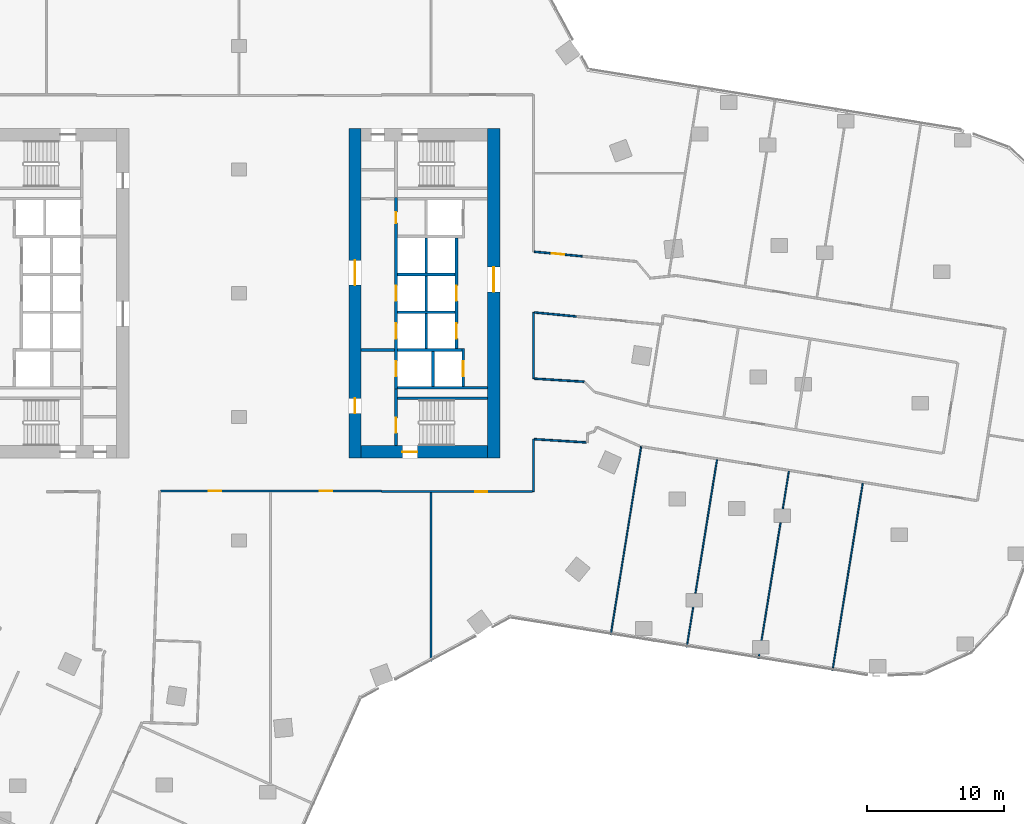
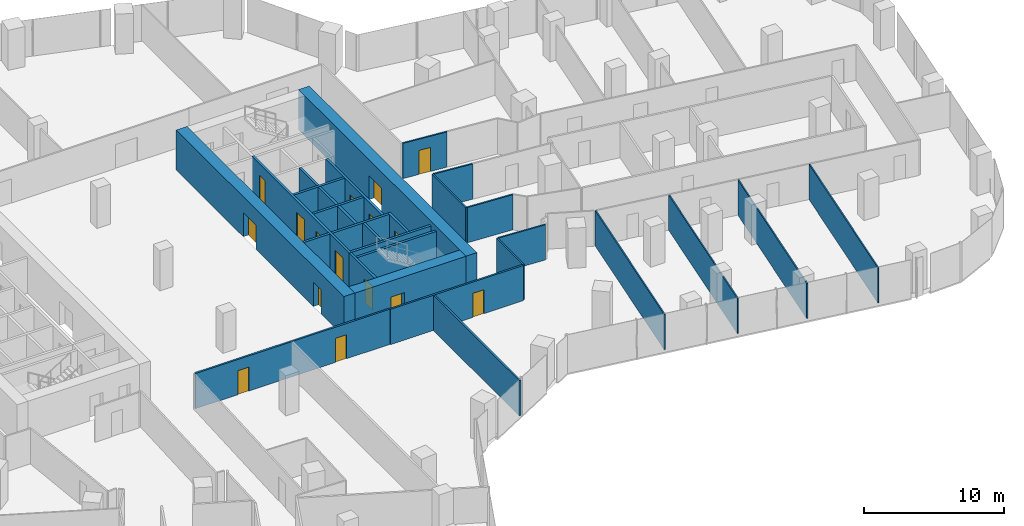
# One storey, part 27 of 34: 30 walls, 16 doors, 16 openings.
"""IFC4 building model written with IfcOpenShell, lengths in metres."""

import ifcopenshell
import ifcopenshell.guid

model = None  # the IFC model being written
_history = None  # IfcOwnerHistory: only IFC2X3 demands one
_inside = {}  # id of a spatial element -> (the spatial element, [elements in it])
_under = {}  # id of a project, library or spatial element -> (it, [spatial elements below it])
_declared = {}  # id of a project -> (the project, [libraries it declares])
_typed = {}  # id of a type object -> (the type object, [elements of that type])
_made_of = {}  # id of a material, layer set ... -> (it, [elements and type objects made of it])


def new_model(schema):
    """Start an empty IFC model of exactly this schema.

    Asked for "IFC4X3", IfcOpenShell would pick the latest addendum, in which some entities
    have other attributes; the version numbers below select the first issue.
    IFC2X3 requires an IfcOwnerHistory on every rooted entity: one is made here for all.
    """
    global model, _history
    if schema == "IFC4X3":
        model = ifcopenshell.file(schema_version=(4, 3, 0, 0))
    else:
        model = ifcopenshell.file(schema=schema)
    _inside.clear()
    _under.clear()
    _declared.clear()
    _typed.clear()
    _made_of.clear()
    _history = None
    if model.schema == "IFC2X3":
        org = make("IfcOrganization", Name="unknown")
        user = make(
            "IfcPersonAndOrganization",
            ThePerson=make("IfcPerson", FamilyName="unknown"),
            TheOrganization=org,
        )
        app = make(
            "IfcApplication",
            ApplicationDeveloper=org,
            Version="unknown",
            ApplicationFullName="unknown",
            ApplicationIdentifier="unknown",
        )
        _history = make(
            "IfcOwnerHistory",
            OwningUser=user,
            OwningApplication=app,
            ChangeAction="ADDED",
            CreationDate=0,
        )
    return model


def make(cls, **values):
    """One entity of the class cls with the attributes given. An attribute that is None is left unset."""
    return model.create_entity(
        cls, **{name: value for name, value in values.items() if value is not None}
    )


def rooted(cls, **values):
    """An entity with a GlobalId (a new one), such as an element, a storey or a relation."""
    return make(cls, GlobalId=ifcopenshell.guid.new(), OwnerHistory=_history, **values)


def si_unit(unit_type, name, prefix=None):
    """IfcSIUnit, for example si_unit("LENGTHUNIT", "METRE", prefix="MILLI")."""
    return make("IfcSIUnit", UnitType=unit_type, Prefix=prefix, Name=name)


def assignment(units):
    """IfcUnitAssignment: the units of a project."""
    return None if units is None else make("IfcUnitAssignment", Units=units)


def point(xyz):
    """IfcCartesianPoint."""
    return None if xyz is None else make("IfcCartesianPoint", Coordinates=xyz)


def direction(xyz):
    """IfcDirection."""
    return None if xyz is None else make("IfcDirection", DirectionRatios=xyz)


def frame(location, z_axis=None, x_axis=None):
    """IfcAxis2Placement3D, a coordinate frame: its origin and axes. An axis left out is left unset."""
    return make(
        "IfcAxis2Placement3D",
        Location=point(location),
        Axis=direction(z_axis),
        RefDirection=direction(x_axis),
    )


def frame_2d(location, x_axis=None):
    """IfcAxis2Placement2D, a coordinate frame in the plane: its origin and x axis."""
    return make(
        "IfcAxis2Placement2D", Location=point(location), RefDirection=direction(x_axis)
    )


def origin():
    """The frame at (0, 0, 0) with its axes left unset."""
    return frame((0.0, 0.0, 0.0))


def place(relative_to, where):
    """IfcLocalPlacement: puts the frame where relative to a parent placement (None: the world)."""
    return make(
        "IfcLocalPlacement", PlacementRelTo=relative_to, RelativePlacement=where
    )


def context(
    kind, dimensions, precision=None, world=None, true_north=None, identifier=None
):
    """IfcGeometricRepresentationContext, for example the 3D "Model" context."""
    return make(
        "IfcGeometricRepresentationContext",
        ContextIdentifier=identifier,
        ContextType=kind,
        CoordinateSpaceDimension=dimensions,
        Precision=precision,
        WorldCoordinateSystem=world,
        TrueNorth=true_north,
    )


def subcontext(parent, identifier, kind, view, scale=None):
    """IfcGeometricRepresentationSubContext, for example "Body" below "Model"."""
    return make(
        "IfcGeometricRepresentationSubContext",
        ContextIdentifier=identifier,
        ContextType=kind,
        ParentContext=parent,
        TargetScale=scale,
        TargetView=view,
    )


def project(units=None, contexts=None):
    """IfcProject with its units and contexts."""
    return rooted(
        "IfcProject",
        Name="project",
        RepresentationContexts=contexts,
        UnitsInContext=assignment(units),
    )


def spatial(cls, under=None, at=None, **own):
    """A site, building, storey or space (cls), placed at a placement, below another one or the project."""
    s = rooted(cls, ObjectPlacement=at, **own)
    if under is not None:
        _under.setdefault(under.id(), (under, []))[1].append(s)
    return s


def profile(cls, at=None, kind="AREA", **sizes):
    """A parametric profile (cls). Its sizes go by their IFC names, for example OverallWidth=200.0."""
    return make(cls, ProfileType=kind, Position=at, **sizes)


def rectangle(**sizes):
    """IfcRectangleProfileDef."""
    return profile("IfcRectangleProfileDef", **sizes)


def extrude(swept, where, along, depth):
    """IfcExtrudedAreaSolid: the profile swept, set in the frame where, extruded along a direction by depth."""
    return make(
        "IfcExtrudedAreaSolid",
        SweptArea=swept,
        Position=where,
        ExtrudedDirection=direction(along),
        Depth=depth,
    )


def shape(context_of_items, identifier, shape_type, items):
    """IfcShapeRepresentation: the items that make up one representation, for example the "Body"."""
    return make(
        "IfcShapeRepresentation",
        ContextOfItems=context_of_items,
        RepresentationIdentifier=identifier,
        RepresentationType=shape_type,
        Items=items,
    )


def material(Name=None, Category=None):
    """IfcMaterial."""
    return make("IfcMaterial", Name=Name, Category=Category)


def layer(
    of_material, thickness, ventilated=None, Name=None, Category=None, Priority=None
):
    """IfcMaterialLayer: one layer of a wall or slab, of a material (None: an air gap)."""
    return make(
        "IfcMaterialLayer",
        Material=of_material,
        LayerThickness=thickness,
        IsVentilated=ventilated,
        Name=Name,
        Category=Category,
        Priority=Priority,
    )


def layer_set(layers, Name=None):
    """IfcMaterialLayerSet."""
    return make("IfcMaterialLayerSet", MaterialLayers=layers, LayerSetName=Name)


def made_of(thing, what):
    """Note that an element or type object is made of a material, layer set ...; save() writes the relation."""
    if what is not None:
        _made_of.setdefault(what.id(), (what, []))[1].append(thing)
    return thing


def type_object(cls, material=None, **own):
    """A type object (cls), such as IfcWallType, which elements share."""
    return made_of(rooted(cls, **own), material)


def element(
    cls,
    number,
    at=None,
    inside=None,
    cuts=None,
    type_object=None,
    material=None,
    context=None,
    identifier="Body",
    shape_type=None,
    held_by="IfcProductDefinitionShape",
    body=None,
    shapes=None,
    **own,
):
    """One element of the class cls, such as IfcWall. Its Tag is "e" and its number.

    at: its placement. inside: the storey or other place that contains it. cuts: it is an
    opening in that element (IfcRelVoidsElement). A single representation is given by context,
    identifier, shape_type and body (its items); several are given by shapes. held_by: the class
    of the entity that holds the representations. save() writes the other relations.
    """
    e = rooted(cls, Tag="e%d" % number, ObjectPlacement=at, **own)
    if body is not None:
        shapes = [shape(context, identifier, shape_type, body)]
    if shapes is not None:
        e.Representation = make(held_by, Representations=shapes)
    if inside is not None:
        _inside.setdefault(inside.id(), (inside, []))[1].append(e)
    if cuts is not None:
        rooted(
            "IfcRelVoidsElement", RelatingBuildingElement=cuts, RelatedOpeningElement=e
        )
    if type_object is not None:
        _typed.setdefault(type_object.id(), (type_object, []))[1].append(e)
    return made_of(e, material)


def fill(opening, filler):
    """IfcRelFillsElement: the door or window that sits in an opening."""
    return rooted(
        "IfcRelFillsElement",
        RelatingOpeningElement=opening,
        RelatedBuildingElement=filler,
    )


def aggregate(whole, parts):
    """IfcRelAggregates: a whole, such as a stair, and the parts it consists of."""
    return rooted("IfcRelAggregates", RelatingObject=whole, RelatedObjects=parts)


def save(model, path):
    """Write the relations noted so far, then the file.

    IfcRelAggregates (storeys below a building ...), IfcRelContainedInSpatialStructure (elements
    in a storey), IfcRelDefinesByType, IfcRelAssociatesMaterial and IfcRelDeclares: one each for
    every whole, place, type object, material and project.
    """
    for whole, parts in _under.values():
        aggregate(whole, parts)
    for where, things in _inside.values():
        rooted(
            "IfcRelContainedInSpatialStructure",
            RelatedElements=things,
            RelatingStructure=where,
        )
    for kind, things in _typed.values():
        rooted("IfcRelDefinesByType", RelatedObjects=things, RelatingType=kind)
    for what, things in _made_of.values():
        rooted("IfcRelAssociatesMaterial", RelatedObjects=things, RelatingMaterial=what)
    for by, libraries in _declared.values():
        rooted("IfcRelDeclares", RelatingContext=by, RelatedDefinitions=libraries)
    model.write(path)


model = new_model("IFC4")

# Units and contexts
model_context = context("Model", 3, precision=1e-05, world=origin(), true_north=direction((0.0, 1.0)))
body_context = subcontext(model_context, "Body", "Model", "MODEL_VIEW")
ifc_project = project(units=[si_unit("LENGTHUNIT", "METRE"), si_unit("AREAUNIT", "SQUARE_METRE"), si_unit("VOLUMEUNIT", "CUBIC_METRE"), si_unit("PLANEANGLEUNIT", "RADIAN"), si_unit("MASSUNIT", "GRAM", prefix="KILO")], contexts=[model_context])

# Site, building, storey
site_placement = place(None, origin())
site = spatial("IfcSite", under=ifc_project, at=site_placement, CompositionType="ELEMENT")
building_placement = place(site_placement, origin())
building = spatial("IfcBuilding", under=site, at=building_placement, Name="Orlundy Tower", CompositionType="ELEMENT")
storey_placement = place(building_placement, frame((0.0, 0.0, 127.199951171875)))
storey = spatial("IfcBuildingStorey", under=building, at=storey_placement, Name="L32", CompositionType="ELEMENT", Elevation=127.199951171875)

# Wall, opening, door
ifc_material_1 = material(Name="Concrete C80/95", Category="concrete")
ifc_layer_1 = layer(ifc_material_1, 0.89990234375)
ifc_layer_set_1 = layer_set([ifc_layer_1], Name="CORE WALL 900 C80/95")
wall_type_1 = type_object("IfcWallType", Name="CORE WALL 900 C80/95", PredefinedType="SHEAR", material=ifc_layer_set_1)
wall_1_placement = place(storey_placement, frame((8.89990234375, -11.550048828125, 0.0), z_axis=(0.0, 0.0, 1.0), x_axis=(1.0, 0.0, 0.0)))
wall_1 = element("IfcWall", 1, at=wall_1_placement, inside=storey, type_object=wall_type_1, Name="Core wall E-S L32", PredefinedType="SHEAR", context=body_context, shape_type="SweptSolid", body=[
    extrude(rectangle(XDim=9.2001953125, YDim=0.89990234375, at=frame_2d((4.60009765625, 0.0))), origin(), (0.0, 0.0, 1.0), 3.5),
])
opening_1_placement = place(wall_1_placement, frame((3.0, 0.0, 0.0)))
opening_1 = element("IfcOpeningElement", 2, at=opening_1_placement, cuts=wall_1, Name="Opening 25061", PredefinedType="OPENING", context=body_context, shape_type="SweptSolid", body=[
    extrude(rectangle(XDim=1.10009765625, YDim=2.10009765625, at=frame_2d((0.550048828125, 1.050048828125))), frame((0.0, 0.4599609375, 0.0), z_axis=(0.0, -1.0, 0.0), x_axis=(1.0, 0.0, 0.0)), (0.0, 0.0, 1.0), 0.919921875),
])
ifc_material_2 = material(Name="Steel door set", Category="steel")
door_type_1 = type_object("IfcDoorType", Name="Stair Door 1100x2100", OperationType="SINGLE_SWING_LEFT", PredefinedType="DOOR", material=ifc_material_2)
door_1_placement = place(opening_1_placement, origin())
door_1 = element("IfcDoor", 3, at=door_1_placement, inside=storey, type_object=door_type_1, Name="Stair door 25061", OperationType="SINGLE_SWING_LEFT", OverallHeight=2.10009765625, OverallWidth=1.10009765625, PredefinedType="DOOR", context=body_context, shape_type="SweptSolid", body=[
    extrude(rectangle(XDim=1.10009765625, YDim=2.10009765625, at=frame_2d((0.550048828125, 1.050048828125))), frame((0.0, 0.02490234375, 0.0), z_axis=(0.0, -1.0, 0.0), x_axis=(1.0, 0.0, 0.0)), (0.0, 0.0, 1.0), 0.050048828125),
])
fill(opening_1, door_1)

# Wall, openings, doors
wall_2_placement = place(storey_placement, frame((8.449951171875, -12.0, 0.0), z_axis=(0.0, 0.0, 1.0), x_axis=(0.0, 1.0, 0.0)))
wall_2 = element("IfcWall", 4, at=wall_2_placement, inside=storey, type_object=wall_type_1, Name="Core wall E-W L32", PredefinedType="SHEAR", context=body_context, shape_type="SweptSolid", body=[
    extrude(rectangle(XDim=24.0, YDim=0.89990234375, at=frame_2d((12.0, 0.0))), origin(), (0.0, 0.0, 1.0), 3.5),
])
opening_2_placement = place(wall_2_placement, frame((12.60009765625, 0.0, 0.0)))
opening_2 = element("IfcOpeningElement", 5, at=opening_2_placement, cuts=wall_2, Name="Opening 25058", PredefinedType="OPENING", context=body_context, shape_type="SweptSolid", body=[
    extrude(rectangle(XDim=1.800048828125, YDim=2.10009765625, at=frame_2d((0.89990234375, 1.050048828125))), frame((0.0, 0.4599609375, 0.0), z_axis=(0.0, -1.0, 0.0), x_axis=(1.0, 0.0, 0.0)), (0.0, 0.0, 1.0), 0.919921875),
])
opening_3_placement = place(wall_2_placement, frame((3.25, 0.0, 0.0)))
opening_3 = element("IfcOpeningElement", 6, at=opening_3_placement, cuts=wall_2, Name="Opening 25060", PredefinedType="OPENING", context=body_context, shape_type="SweptSolid", body=[
    extrude(rectangle(XDim=1.10009765625, YDim=2.10009765625, at=frame_2d((0.550048828125, 1.050048828125))), frame((0.0, 0.4599609375, 0.0), z_axis=(0.0, -1.0, 0.0), x_axis=(1.0, 0.0, 0.0)), (0.0, 0.0, 1.0), 0.919921875),
])
ifc_material_3 = material(Name="Steel door set", Category="steel")
door_type_2 = type_object("IfcDoorType", Name="Fire-fighting Lobby Door 1100x2100", OperationType="SINGLE_SWING_LEFT", PredefinedType="DOOR", material=ifc_material_3)
door_2_placement = place(opening_3_placement, origin())
door_2 = element("IfcDoor", 7, at=door_2_placement, inside=storey, type_object=door_type_2, Name="Fire-fighting lobby door 25060", OperationType="SINGLE_SWING_LEFT", OverallHeight=2.10009765625, OverallWidth=1.10009765625, PredefinedType="DOOR", context=body_context, shape_type="SweptSolid", body=[
    extrude(rectangle(XDim=1.10009765625, YDim=2.10009765625, at=frame_2d((0.550048828125, 1.050048828125))), frame((0.0, 0.02490234375, 0.0), z_axis=(0.0, -1.0, 0.0), x_axis=(1.0, 0.0, 0.0)), (0.0, 0.0, 1.0), 0.050048828125),
])
fill(opening_3, door_2)
ifc_material_4 = material(Name="Timber door set", Category="wood")
door_type_3 = type_object("IfcDoorType", Name="Lobby Door 1800x2100", OperationType="DOUBLE_DOOR_DOUBLE_SWING", PredefinedType="DOOR", material=ifc_material_4)
door_3_placement = place(opening_2_placement, origin())
door_3 = element("IfcDoor", 8, at=door_3_placement, inside=storey, type_object=door_type_3, Name="Lift lobby door 25058", OperationType="SINGLE_SWING_RIGHT", OverallHeight=2.10009765625, OverallWidth=1.800048828125, PredefinedType="DOOR", context=body_context, shape_type="SweptSolid", body=[
    extrude(rectangle(XDim=1.800048828125, YDim=2.10009765625, at=frame_2d((0.89990234375, 1.050048828125))), frame((0.0, 0.02490234375, 0.0), z_axis=(0.0, -1.0, 0.0), x_axis=(1.0, 0.0, 0.0)), (0.0, 0.0, 1.0), 0.050048828125),
])
fill(opening_2, door_3)

# Wall, opening, door
wall_3_placement = place(storey_placement, frame((18.550048828125, -12.0, 0.0), z_axis=(0.0, 0.0, 1.0), x_axis=(0.0, 1.0, 0.0)))
wall_3 = element("IfcWall", 9, at=wall_3_placement, inside=storey, type_object=wall_type_1, Name="Core wall E-E L32", PredefinedType="SHEAR", context=body_context, shape_type="SweptSolid", body=[
    extrude(rectangle(XDim=24.0, YDim=0.89990234375, at=frame_2d((12.0, 0.0))), origin(), (0.0, 0.0, 1.0), 3.5),
])
opening_4_placement = place(wall_3_placement, frame((12.10009765625, 0.0, 0.0)))
opening_4 = element("IfcOpeningElement", 10, at=opening_4_placement, cuts=wall_3, Name="Opening 25059", PredefinedType="OPENING", context=body_context, shape_type="SweptSolid", body=[
    extrude(rectangle(XDim=1.800048828125, YDim=2.10009765625, at=frame_2d((0.89990234375, 1.050048828125))), frame((0.0, 0.4599609375, 0.0), z_axis=(0.0, -1.0, 0.0), x_axis=(1.0, 0.0, 0.0)), (0.0, 0.0, 1.0), 0.919921875),
])
door_4_placement = place(opening_4_placement, origin())
door_4 = element("IfcDoor", 11, at=door_4_placement, inside=storey, type_object=door_type_3, Name="Lift lobby door 25059", OperationType="SINGLE_SWING_RIGHT", OverallHeight=2.10009765625, OverallWidth=1.800048828125, PredefinedType="DOOR", context=body_context, shape_type="SweptSolid", body=[
    extrude(rectangle(XDim=1.800048828125, YDim=2.10009765625, at=frame_2d((0.89990234375, 1.050048828125))), frame((0.0, 0.02490234375, 0.0), z_axis=(0.0, -1.0, 0.0), x_axis=(1.0, 0.0, 0.0)), (0.0, 0.0, 1.0), 0.050048828125),
])
fill(opening_4, door_4)

# Walls
ifc_material_5 = material(Name="Gypsum board partition")
ifc_layer_2 = layer(ifc_material_5, 0.10009765625)
ifc_layer_set_2 = layer_set([ifc_layer_2], Name="Floor partition 100")
wall_type_2 = type_object("IfcWallType", Name="Floor partition 100", PredefinedType="PARTITIONING", material=ifc_layer_set_2)
wall_4_placement = place(storey_placement, frame((43.221923828125, -27.487060546875, 0.0), z_axis=(0.0, 0.0, 1.0), x_axis=(0.159350032698, 0.987222146773, 0.0)))
element("IfcWall", 12, at=wall_4_placement, inside=storey, type_object=wall_type_2, Name="wall-int-L32-058", PredefinedType="PARTITIONING", context=body_context, shape_type="SweptSolid", body=[
    extrude(rectangle(XDim=13.837890625, YDim=0.10009765625, at=frame_2d((6.9189453125, 0.0))), origin(), (0.0, 0.0, 1.0), 3.080078125),
])
wall_5_placement = place(storey_placement, frame((37.842041015625, -26.618896484375, 0.0), z_axis=(0.0, 0.0, 1.0), x_axis=(0.159352808208, 0.987221698767, 0.0)))
element("IfcWall", 13, at=wall_5_placement, inside=storey, type_object=wall_type_2, Name="wall-int-L32-060", PredefinedType="PARTITIONING", context=body_context, shape_type="SweptSolid", body=[
    extrude(rectangle(XDim=13.837646484375, YDim=0.10009765625, at=frame_2d((6.9189453125, 0.0))), origin(), (0.0, 0.0, 1.0), 3.080078125),
])
wall_6_placement = place(storey_placement, frame((32.610107421875, -25.77392578125, 0.0), z_axis=(0.0, 0.0, 1.0), x_axis=(0.159346714874, 0.987222682306, 0.0)))
element("IfcWall", 14, at=wall_6_placement, inside=storey, type_object=wall_type_2, Name="wall-int-L32-063", PredefinedType="PARTITIONING", context=body_context, shape_type="SweptSolid", body=[
    extrude(rectangle(XDim=13.836669921875, YDim=0.10009765625, at=frame_2d((6.91845703125, 0.0))), origin(), (0.0, 0.0, 1.0), 3.080078125),
])
wall_7_placement = place(storey_placement, frame((27.074951171875, -24.881103515625, 0.0), z_axis=(0.0, 0.0, 1.0), x_axis=(0.159361105938, 0.987220359349, 0.0)))
element("IfcWall", 15, at=wall_7_placement, inside=storey, type_object=wall_type_2, Name="wall-int-L32-066", PredefinedType="PARTITIONING", context=body_context, shape_type="SweptSolid", body=[
    extrude(rectangle(XDim=13.89990234375, YDim=0.10009765625, at=frame_2d((6.949951171875, 0.0))), origin(), (0.0, 0.0, 1.0), 3.080078125),
])
ifc_material_6 = material(Name="Gypsum board partition, double layer")
ifc_layer_3 = layer(ifc_material_6, 0.125)
ifc_layer_set_3 = layer_set([ifc_layer_3], Name="Floor partition 125")
wall_type_3 = type_object("IfcWallType", Name="Floor partition 125", PredefinedType="PARTITIONING", material=ifc_layer_set_3)
wall_8_placement = place(storey_placement, frame((21.511962890625, -1.39599609375, 0.0), z_axis=(0.0, 0.0, 1.0), x_axis=(0.995439564575, -0.095394304224, 0.0)))
element("IfcWall", 16, at=wall_8_placement, inside=storey, type_object=wall_type_3, Name="wall-int-L32-025", PredefinedType="PARTITIONING", context=body_context, shape_type="SweptSolid", body=[
    extrude(rectangle(XDim=3.071044921875, YDim=0.125, at=frame_2d((1.53564453125, 0.0))), origin(), (0.0, 0.0, 1.0), 3.080078125),
])

# Wall, opening, door
wall_9_placement = place(storey_placement, frame((21.511962890625, 3.02490234375, 0.0), z_axis=(0.0, 0.0, 1.0), x_axis=(0.995445071108, -0.095336826077, 0.0)))
wall_9 = element("IfcWall", 17, at=wall_9_placement, inside=storey, type_object=wall_type_3, Name="wall-int-L32-027", PredefinedType="PARTITIONING", context=body_context, shape_type="SweptSolid", body=[
    extrude(rectangle(XDim=3.492919921875, YDim=0.125, at=frame_2d((1.74658203125, 0.0))), origin(), (0.0, 0.0, 1.0), 3.080078125),
])
opening_5_placement = place(wall_9_placement, frame((1.28759765625, 0.0, 0.0)))
opening_5 = element("IfcOpeningElement", 18, at=opening_5_placement, cuts=wall_9, Name="Opening 25127", PredefinedType="OPENING", context=body_context, shape_type="SweptSolid", body=[
    extrude(rectangle(XDim=0.89990234375, YDim=2.10009765625, at=frame_2d((0.449951171875, 1.050048828125))), frame((0.0, 0.072509765625, 0.0), z_axis=(0.0, -1.0, 0.0), x_axis=(1.0, 0.0, 0.0)), (0.0, 0.0, 1.0), 0.14501953125),
])
ifc_material_7 = material(Name="Timber door leaf", Category="wood")
door_type_4 = type_object("IfcDoorType", Name="Floor door single 900 FD30S", OperationType="NOTDEFINED", PredefinedType="DOOR", material=ifc_material_7)
door_5_placement = place(opening_5_placement, origin())
door_5 = element("IfcDoor", 19, at=door_5_placement, inside=storey, type_object=door_type_4, Name="Door 25127", OperationType="SINGLE_SWING_LEFT", OverallHeight=2.10009765625, OverallWidth=0.89990234375, PredefinedType="DOOR", context=body_context, shape_type="SweptSolid", body=[
    extrude(rectangle(XDim=0.89990234375, YDim=2.10009765625, at=frame_2d((0.449951171875, 1.050048828125))), frame((0.0, 0.02490234375, 0.0), z_axis=(0.0, -1.0, 0.0), x_axis=(1.0, 0.0, 0.0)), (0.0, 0.0, 1.0), 0.050048828125),
])
fill(opening_5, door_5)

# Walls
wall_10_placement = place(storey_placement, frame((21.511962890625, -10.6259765625, 0.0), z_axis=(0.0, 0.0, 1.0), x_axis=(0.998079516633, -0.061945770464, 0.0)))
element("IfcWall", 20, at=wall_10_placement, inside=storey, type_object=wall_type_3, Name="wall-int-L32-028", PredefinedType="PARTITIONING", context=body_context, shape_type="SweptSolid", body=[
    extrude(rectangle(XDim=3.79541015625, YDim=0.125, at=frame_2d((1.897705078125, 0.0))), origin(), (0.0, 0.0, 1.0), 3.080078125),
])
wall_11_placement = place(storey_placement, frame((21.511962890625, -6.217041015625, 0.0), z_axis=(0.0, 0.0, 1.0), x_axis=(0.998085189805, -0.061854295661, 0.0)))
element("IfcWall", 21, at=wall_11_placement, inside=storey, type_object=wall_type_3, Name="wall-int-L32-029", PredefinedType="PARTITIONING", context=body_context, shape_type="SweptSolid", body=[
    extrude(rectangle(XDim=3.655029296875, YDim=0.125, at=frame_2d((1.82763671875, 0.0))), origin(), (0.0, 0.0, 1.0), 3.080078125),
])
wall_12_placement = place(storey_placement, frame((21.449951171875, -14.450927734375, 0.0), z_axis=(0.0, 0.0, 1.0), x_axis=(0.0, 1.0, 0.0)))
element("IfcWall", 22, at=wall_12_placement, inside=storey, type_object=wall_type_3, Name="wall-int-L32-077", PredefinedType="PARTITIONING", context=body_context, shape_type="SweptSolid", body=[
    extrude(rectangle(XDim=3.828857421875, YDim=0.125, at=frame_2d((1.91455078125, 0.0))), origin(), (0.0, 0.0, 1.0), 3.080078125),
])
wall_13_placement = place(storey_placement, frame((21.449951171875, -6.212890625, 0.0), z_axis=(0.0, 0.0, 1.0), x_axis=(0.0, 1.0, 0.0)))
element("IfcWall", 23, at=wall_13_placement, inside=storey, type_object=wall_type_3, Name="wall-int-L32-078", PredefinedType="PARTITIONING", context=body_context, shape_type="SweptSolid", body=[
    extrude(rectangle(XDim=4.822998046875, YDim=0.125, at=frame_2d((2.41162109375, 0.0))), origin(), (0.0, 0.0, 1.0), 3.080078125),
])

# Wall, opening, door
ifc_material_8 = material(Name="Blockwork shaft wall", Category="masonry")
ifc_layer_4 = layer(ifc_material_8, 0.14990234375)
ifc_layer_set_4 = layer_set([ifc_layer_4], Name="Floor shaft wall 150")
wall_type_4 = type_object("IfcWallType", Name="Floor shaft wall 150", PredefinedType="PARTITIONING", material=ifc_layer_set_4)
wall_14_placement = place(storey_placement, frame((21.386962890625, -14.450927734375, 0.0), z_axis=(0.0, 0.0, 1.0), x_axis=(-1.0, 0.0, 0.0)))
wall_14 = element("IfcWall", 24, at=wall_14_placement, inside=storey, type_object=wall_type_4, Name="wall-int-L32-035", PredefinedType="PARTITIONING", context=body_context, shape_type="SweptSolid", body=[
    extrude(rectangle(XDim=10.995849609375, YDim=0.14990234375, at=frame_2d((5.498046875, 0.0))), origin(), (0.0, 0.0, 1.0), 3.080078125),
])
opening_6_placement = place(wall_14_placement, frame((3.28759765625, 0.0, 0.0)))
opening_6 = element("IfcOpeningElement", 25, at=opening_6_placement, cuts=wall_14, Name="Opening 25125", PredefinedType="OPENING", context=body_context, shape_type="SweptSolid", body=[
    extrude(rectangle(XDim=0.89990234375, YDim=2.10009765625, at=frame_2d((0.449951171875, 1.050048828125))), frame((0.0, 0.0849609375, 0.0), z_axis=(0.0, -1.0, 0.0), x_axis=(1.0, 0.0, 0.0)), (0.0, 0.0, 1.0), 0.169921875),
])
ifc_material_9 = material(Name="Timber door leaf", Category="wood")
door_type_5 = type_object("IfcDoorType", Name="Floor door single 900 FD60", OperationType="NOTDEFINED", PredefinedType="DOOR", material=ifc_material_9)
door_6_placement = place(opening_6_placement, origin())
door_6 = element("IfcDoor", 26, at=door_6_placement, inside=storey, type_object=door_type_5, Name="Door 25125", OperationType="SINGLE_SWING_LEFT", OverallHeight=2.10009765625, OverallWidth=0.89990234375, PredefinedType="DOOR", context=body_context, shape_type="SweptSolid", body=[
    extrude(rectangle(XDim=0.89990234375, YDim=2.10009765625, at=frame_2d((0.449951171875, 1.050048828125))), frame((0.0, 0.02490234375, 0.0), z_axis=(0.0, -1.0, 0.0), x_axis=(1.0, 0.0, 0.0)), (0.0, 0.0, 1.0), 0.050048828125),
])
fill(opening_6, door_6)

# Wall, openings, doors
wall_15_placement = place(storey_placement, frame((10.39111328125, -14.40087890625, 0.0), z_axis=(0.0, 0.0, 1.0), x_axis=(-1.0, 0.0, 0.0)))
wall_15 = element("IfcWall", 27, at=wall_15_placement, inside=storey, type_object=wall_type_4, Name="wall-int-L32-037", PredefinedType="PARTITIONING", context=body_context, shape_type="SweptSolid", body=[
    extrude(rectangle(XDim=16.09619140625, YDim=0.14990234375, at=frame_2d((8.048095703125, 0.0))), origin(), (0.0, 0.0, 1.0), 3.080078125),
])
opening_7_placement = place(wall_15_placement, frame((11.679931640625, 0.0, 0.0)))
opening_7 = element("IfcOpeningElement", 28, at=opening_7_placement, cuts=wall_15, Name="Opening 25123", PredefinedType="OPENING", context=body_context, shape_type="SweptSolid", body=[
    extrude(rectangle(XDim=0.89990234375, YDim=2.10009765625, at=frame_2d((0.449951171875, 1.050048828125))), frame((0.0, 0.0849609375, 0.0), z_axis=(0.0, -1.0, 0.0), x_axis=(1.0, 0.0, 0.0)), (0.0, 0.0, 1.0), 0.169921875),
])
opening_8_placement = place(wall_15_placement, frame((3.60009765625, 0.0, 0.0)))
opening_8 = element("IfcOpeningElement", 29, at=opening_8_placement, cuts=wall_15, Name="Opening 25124", PredefinedType="OPENING", context=body_context, shape_type="SweptSolid", body=[
    extrude(rectangle(XDim=0.89990234375, YDim=2.10009765625, at=frame_2d((0.449951171875, 1.050048828125))), frame((0.0, 0.0849609375, 0.0), z_axis=(0.0, -1.0, 0.0), x_axis=(1.0, 0.0, 0.0)), (0.0, 0.0, 1.0), 0.169921875),
])
door_7_placement = place(opening_7_placement, origin())
door_7 = element("IfcDoor", 30, at=door_7_placement, inside=storey, type_object=door_type_5, Name="Door 25123", OperationType="SINGLE_SWING_RIGHT", OverallHeight=2.10009765625, OverallWidth=0.89990234375, PredefinedType="DOOR", context=body_context, shape_type="SweptSolid", body=[
    extrude(rectangle(XDim=0.89990234375, YDim=2.10009765625, at=frame_2d((0.449951171875, 1.050048828125))), frame((0.0, 0.02490234375, 0.0), z_axis=(0.0, -1.0, 0.0), x_axis=(1.0, 0.0, 0.0)), (0.0, 0.0, 1.0), 0.050048828125),
])
fill(opening_7, door_7)
door_8_placement = place(opening_8_placement, origin())
door_8 = element("IfcDoor", 31, at=door_8_placement, inside=storey, type_object=door_type_5, Name="Door 25124", OperationType="SINGLE_SWING_LEFT", OverallHeight=2.10009765625, OverallWidth=0.89990234375, PredefinedType="DOOR", context=body_context, shape_type="SweptSolid", body=[
    extrude(rectangle(XDim=0.89990234375, YDim=2.10009765625, at=frame_2d((0.449951171875, 1.050048828125))), frame((0.0, 0.02490234375, 0.0), z_axis=(0.0, -1.0, 0.0), x_axis=(1.0, 0.0, 0.0)), (0.0, 0.0, 1.0), 0.050048828125),
])
fill(opening_8, door_8)

# Wall
wall_16_placement = place(storey_placement, frame((14.0, -26.818115234375, 0.0), z_axis=(0.0, 0.0, 1.0), x_axis=(0.0, 1.0, 0.0)))
element("IfcWall", 32, at=wall_16_placement, inside=storey, type_object=wall_type_4, Name="wall-int-L32-080", PredefinedType="PARTITIONING", context=body_context, shape_type="SweptSolid", body=[
    extrude(rectangle(XDim=12.292236328125, YDim=0.14990234375, at=frame_2d((6.14599609375, 0.0))), origin(), (0.0, 0.0, 1.0), 3.080078125),
])

# Wall, opening, door
ifc_material_10 = material(Name="Concrete C40/50", Category="concrete")
ifc_layer_5 = layer(ifc_material_10, 0.199951171875)
ifc_layer_set_5 = layer_set([ifc_layer_5], Name="Load-bearing Shaft Wall 200")
wall_type_5 = type_object("IfcWallType", Name="Load-bearing Shaft Wall 200", PredefinedType="SOLIDWALL", material=ifc_layer_set_5)
wall_17_placement = place(storey_placement, frame((11.43994140625, -6.97509765625, 0.0), z_axis=(0.0, 0.0, 1.0), x_axis=(0.0, -1.0, 0.0)))
wall_17 = element("IfcWall", 33, at=wall_17_placement, inside=storey, type_object=wall_type_5, Name="Shaft wall E25-stair-end-n", PredefinedType="SOLIDWALL", context=body_context, shape_type="SweptSolid", body=[
    extrude(rectangle(XDim=4.125, YDim=0.199951171875, at=frame_2d((2.0625, 0.0))), origin(), (0.0, 0.0, 1.0), 3.090087890625),
])
opening_9_placement = place(wall_17_placement, frame((2.10009765625, 0.0, 0.0)))
opening_9 = element("IfcOpeningElement", 34, at=opening_9_placement, cuts=wall_17, Name="Opening 25063", PredefinedType="OPENING", context=body_context, shape_type="SweptSolid", body=[
    extrude(rectangle(XDim=1.10009765625, YDim=2.10009765625, at=frame_2d((0.550048828125, 1.050048828125))), frame((0.0, 0.110107421875, 0.0), z_axis=(0.0, -1.0, 0.0), x_axis=(1.0, 0.0, 0.0)), (0.0, 0.0, 1.0), 0.22021484375),
])
door_9_placement = place(opening_9_placement, origin())
door_9 = element("IfcDoor", 35, at=door_9_placement, inside=storey, type_object=door_type_2, Name="Fire-fighting lobby to stair door 25063", OperationType="SINGLE_SWING_RIGHT", OverallHeight=2.10009765625, OverallWidth=1.10009765625, PredefinedType="DOOR", context=body_context, shape_type="SweptSolid", body=[
    extrude(rectangle(XDim=1.10009765625, YDim=2.10009765625, at=frame_2d((0.550048828125, 1.050048828125))), frame((0.0, 0.02490234375, 0.0), z_axis=(0.0, -1.0, 0.0), x_axis=(1.0, 0.0, 0.0)), (0.0, 0.0, 1.0), 0.050048828125),
])
fill(opening_9, door_9)

# Walls
wall_18_placement = place(storey_placement, frame((11.5400390625, -7.64990234375, 0.0), z_axis=(0.0, 0.0, 1.0), x_axis=(1.0, 0.0, 0.0)))
element("IfcWall", 36, at=wall_18_placement, inside=storey, type_object=wall_type_5, Name="Shaft wall E25-stair-side-n", PredefinedType="SOLIDWALL", context=body_context, shape_type="SweptSolid", body=[
    extrude(rectangle(XDim=6.56005859375, YDim=0.199951171875, at=frame_2d((3.280029296875, 0.0))), origin(), (0.0, 0.0, 1.0), 3.090087890625),
])
ifc_material_11 = material(Name="Gypsum board partition on steel studs", Category="steel")
ifc_layer_6 = layer(ifc_material_11, 0.199951171875)
ifc_layer_set_6 = layer_set([ifc_layer_6], Name="Partition 200")
wall_type_6 = type_object("IfcWallType", Name="Partition 200", PredefinedType="PARTITIONING", material=ifc_layer_set_6)
wall_19_placement = place(storey_placement, frame((8.89990234375, -4.125, 0.0), z_axis=(0.0, 0.0, 1.0), x_axis=(1.0, 0.0, 0.0)))
element("IfcWall", 37, at=wall_19_placement, inside=storey, type_object=wall_type_6, Name="Partition wall E25-lobby-n", PredefinedType="PARTITIONING", context=body_context, shape_type="SweptSolid", body=[
    extrude(rectangle(XDim=2.440185546875, YDim=0.199951171875, at=frame_2d((1.22021484375, 0.0))), origin(), (0.0, 0.0, 1.0), 3.090087890625),
])
ifc_material_12 = material(Name="Fire-rated blockwork shaft wall", Category="masonry")
ifc_layer_7 = layer(ifc_material_12, 0.199951171875)
ifc_layer_set_7 = layer_set([ifc_layer_7], Name="Shaft Wall 200")
wall_type_7 = type_object("IfcWallType", Name="Shaft Wall 200", PredefinedType="SOLIDWALL", material=ifc_layer_set_7)
wall_20_placement = place(storey_placement, frame((11.5400390625, -6.875, 0.0), z_axis=(0.0, 0.0, 1.0), x_axis=(1.0, 0.0, 0.0)))
element("IfcWall", 38, at=wall_20_placement, inside=storey, type_object=wall_type_7, Name="Shaft wall E25-zone-n", PredefinedType="SOLIDWALL", context=body_context, shape_type="SweptSolid", body=[
    extrude(rectangle(XDim=6.56005859375, YDim=0.199951171875, at=frame_2d((3.280029296875, 0.0))), origin(), (0.0, 0.0, 1.0), 3.090087890625),
])
for number, where, z_axis, x_axis, name in (
    (39, (11.5400390625, 1.375, 0.0), (0.0, 0.0, 1.0), (1.0, 0.0, 0.0), "Shaft wall E25-cross-1.375"),
    (40, (11.5400390625, -1.375, 0.0), (0.0, 0.0, 1.0), (1.0, 0.0, 0.0), "Shaft wall E25-cross+1.375"),
):
    element("IfcWall", number, at=place(storey_placement, frame(where, z_axis=z_axis, x_axis=x_axis)), inside=storey, type_object=wall_type_7, Name=name, PredefinedType="SOLIDWALL", context=body_context, shape_type="SweptSolid", body=[
        extrude(rectangle(XDim=4.199951171875, YDim=0.199951171875, at=frame_2d((2.10009765625, 0.0))), origin(), (0.0, 0.0, 1.0), 3.090087890625),
    ])
wall_21_placement = place(storey_placement, frame((11.5400390625, -4.125, 0.0), z_axis=(0.0, 0.0, 1.0), x_axis=(1.0, 0.0, 0.0)))
element("IfcWall", 41, at=wall_21_placement, inside=storey, type_object=wall_type_7, Name="Shaft wall E25-cross+4.125", PredefinedType="SOLIDWALL", context=body_context, shape_type="SweptSolid", body=[
    extrude(rectangle(XDim=4.699951171875, YDim=0.199951171875, at=frame_2d((2.35009765625, 0.0))), origin(), (0.0, 0.0, 1.0), 3.090087890625),
])

# Wall, openings, doors
wall_22_placement = place(storey_placement, frame((11.43994140625, 6.97509765625, 0.0), z_axis=(0.0, 0.0, 1.0), x_axis=(0.0, -1.0, 0.0)))
wall_22 = element("IfcWall", 42, at=wall_22_placement, inside=storey, type_object=wall_type_7, Name="Shaft wall E25-front-h", PredefinedType="SOLIDWALL", context=body_context, shape_type="SweptSolid", body=[
    extrude(rectangle(XDim=13.9501953125, YDim=0.199951171875, at=frame_2d((6.97509765625, 0.0))), origin(), (0.0, 0.0, 1.0), 3.090087890625),
])
opening_10_placement = place(wall_22_placement, frame((6.425048828125, 0.0, 0.0)))
opening_10 = element("IfcOpeningElement", 43, at=opening_10_placement, cuts=wall_22, Name="Opening 25051", PredefinedType="OPENING", context=body_context, shape_type="SweptSolid", body=[
    extrude(rectangle(XDim=1.10009765625, YDim=2.10009765625, at=frame_2d((0.550048828125, 1.050048828125))), frame((0.0, 0.110107421875, 0.0), z_axis=(0.0, -1.0, 0.0), x_axis=(1.0, 0.0, 0.0)), (0.0, 0.0, 1.0), 0.22021484375),
])
opening_11_placement = place(wall_22_placement, frame((9.175048828125, 0.0, 0.0)))
opening_11 = element("IfcOpeningElement", 44, at=opening_11_placement, cuts=wall_22, Name="Opening 25053", PredefinedType="OPENING", context=body_context, shape_type="SweptSolid", body=[
    extrude(rectangle(XDim=1.10009765625, YDim=2.10009765625, at=frame_2d((0.550048828125, 1.050048828125))), frame((0.0, 0.110107421875, 0.0), z_axis=(0.0, -1.0, 0.0), x_axis=(1.0, 0.0, 0.0)), (0.0, 0.0, 1.0), 0.22021484375),
])
opening_12_placement = place(wall_22_placement, frame((11.925048828125, 0.0, 0.0)))
opening_12 = element("IfcOpeningElement", 45, at=opening_12_placement, cuts=wall_22, Name="Opening 25055", PredefinedType="OPENING", context=body_context, shape_type="SweptSolid", body=[
    extrude(rectangle(XDim=1.10009765625, YDim=2.10009765625, at=frame_2d((0.550048828125, 1.050048828125))), frame((0.0, 0.110107421875, 0.0), z_axis=(0.0, -1.0, 0.0), x_axis=(1.0, 0.0, 0.0)), (0.0, 0.0, 1.0), 0.22021484375),
])
opening_13_placement = place(wall_22_placement, frame((1.074951171875, 0.0, 0.0)))
opening_13 = element("IfcOpeningElement", 46, at=opening_13_placement, cuts=wall_22, Name="Opening 25057", PredefinedType="OPENING", context=body_context, shape_type="SweptSolid", body=[
    extrude(rectangle(XDim=0.800048828125, YDim=2.10009765625, at=frame_2d((0.39990234375, 1.050048828125))), frame((0.0, 0.110107421875, 0.0), z_axis=(0.0, -1.0, 0.0), x_axis=(1.0, 0.0, 0.0)), (0.0, 0.0, 1.0), 0.22021484375),
])
ifc_material_13 = material(Name="Steel door set", Category="steel")
door_type_6 = type_object("IfcDoorType", Name="Landing Door 1100x2100", OperationType="DOUBLE_DOOR_SLIDING", PredefinedType="DOOR", material=ifc_material_13)
door_10_placement = place(opening_10_placement, origin())
door_10 = element("IfcDoor", 47, at=door_10_placement, inside=storey, type_object=door_type_6, Name="Lift landing door LP-10 25051", OperationType="DOUBLE_DOOR_SLIDING", OverallHeight=2.10009765625, OverallWidth=1.10009765625, PredefinedType="DOOR", context=body_context, shape_type="SweptSolid", body=[
    extrude(rectangle(XDim=1.10009765625, YDim=2.10009765625, at=frame_2d((0.550048828125, 1.050048828125))), frame((0.0, 0.02490234375, 0.0), z_axis=(0.0, -1.0, 0.0), x_axis=(1.0, 0.0, 0.0)), (0.0, 0.0, 1.0), 0.050048828125),
])
fill(opening_10, door_10)
door_11_placement = place(opening_11_placement, origin())
door_11 = element("IfcDoor", 48, at=door_11_placement, inside=storey, type_object=door_type_6, Name="Lift landing door LP-07 25053", OperationType="DOUBLE_DOOR_SLIDING", OverallHeight=2.10009765625, OverallWidth=1.10009765625, PredefinedType="DOOR", context=body_context, shape_type="SweptSolid", body=[
    extrude(rectangle(XDim=1.10009765625, YDim=2.10009765625, at=frame_2d((0.550048828125, 1.050048828125))), frame((0.0, 0.02490234375, 0.0), z_axis=(0.0, -1.0, 0.0), x_axis=(1.0, 0.0, 0.0)), (0.0, 0.0, 1.0), 0.050048828125),
])
fill(opening_11, door_11)
door_12_placement = place(opening_12_placement, origin())
door_12 = element("IfcDoor", 49, at=door_12_placement, inside=storey, type_object=door_type_6, Name="Lift landing door FL2 25055", OperationType="DOUBLE_DOOR_SLIDING", OverallHeight=2.10009765625, OverallWidth=1.10009765625, PredefinedType="DOOR", context=body_context, shape_type="SweptSolid", body=[
    extrude(rectangle(XDim=1.10009765625, YDim=2.10009765625, at=frame_2d((0.550048828125, 1.050048828125))), frame((0.0, 0.02490234375, 0.0), z_axis=(0.0, -1.0, 0.0), x_axis=(1.0, 0.0, 0.0)), (0.0, 0.0, 1.0), 0.050048828125),
])
fill(opening_12, door_12)
ifc_material_14 = material(Name="Timber door set", Category="wood")
door_type_7 = type_object("IfcDoorType", Name="Riser Door 800x2100", OperationType="SINGLE_SWING_LEFT", PredefinedType="DOOR", material=ifc_material_14)
door_13_placement = place(opening_13_placement, origin())
door_13 = element("IfcDoor", 50, at=door_13_placement, inside=storey, type_object=door_type_7, Name="Pantry Store door 25057", OperationType="SINGLE_SWING_LEFT", OverallHeight=2.10009765625, OverallWidth=0.800048828125, PredefinedType="DOOR", context=body_context, shape_type="SweptSolid", body=[
    extrude(rectangle(XDim=0.800048828125, YDim=2.10009765625, at=frame_2d((0.39990234375, 1.050048828125))), frame((0.0, 0.02490234375, 0.0), z_axis=(0.0, -1.0, 0.0), x_axis=(1.0, 0.0, 0.0)), (0.0, 0.0, 1.0), 0.050048828125),
])
fill(opening_13, door_13)

# Walls
for number, where, z_axis, x_axis, name in (
    (51, (13.639892578125, 4.02490234375, 0.0), (0.0, 0.0, 1.0), (0.0, -1.0, 0.0), "Shaft wall E25-mid-a.1"),
    (52, (13.639892578125, 1.27490234375, 0.0), (0.0, 0.0, 1.0), (0.0, -1.0, 0.0), "Shaft wall E25-mid-a.2"),
    (53, (13.639892578125, -1.47509765625, 0.0), (0.0, 0.0, 1.0), (0.0, -1.0, 0.0), "Shaft wall E25-mid-a.3"),
    (54, (14.139892578125, -4.22509765625, 0.0), (0.0, 0.0, 1.0), (0.0, -1.0, 0.0), "Shaft wall E25-mid-b"),
):
    element("IfcWall", number, at=place(storey_placement, frame(where, z_axis=z_axis, x_axis=x_axis)), inside=storey, type_object=wall_type_7, Name=name, PredefinedType="SOLIDWALL", context=body_context, shape_type="SweptSolid", body=[
        extrude(rectangle(XDim=2.5498046875, YDim=0.199951171875, at=frame_2d((1.27490234375, 0.0))), origin(), (0.0, 0.0, 1.0), 3.090087890625),
    ])

# Wall, openings, doors
wall_23_placement = place(storey_placement, frame((15.840087890625, 4.02490234375, 0.0), z_axis=(0.0, 0.0, 1.0), x_axis=(0.0, -1.0, 0.0)))
wall_23 = element("IfcWall", 55, at=wall_23_placement, inside=storey, type_object=wall_type_7, Name="Shaft wall E25-front-o-b", PredefinedType="SOLIDWALL", context=body_context, shape_type="SweptSolid", body=[
    extrude(rectangle(XDim=8.0498046875, YDim=0.199951171875, at=frame_2d((4.02490234375, 0.0))), origin(), (0.0, 0.0, 1.0), 3.090087890625),
])
opening_14_placement = place(wall_23_placement, frame((3.47509765625, 0.0, 0.0)))
opening_14 = element("IfcOpeningElement", 56, at=opening_14_placement, cuts=wall_23, Name="Opening 25052", PredefinedType="OPENING", context=body_context, shape_type="SweptSolid", body=[
    extrude(rectangle(XDim=1.10009765625, YDim=2.10009765625, at=frame_2d((0.550048828125, 1.050048828125))), frame((0.0, 0.110107421875, 0.0), z_axis=(0.0, -1.0, 0.0), x_axis=(1.0, 0.0, 0.0)), (0.0, 0.0, 1.0), 0.22021484375),
])
opening_15_placement = place(wall_23_placement, frame((6.22509765625, 0.0, 0.0)))
opening_15 = element("IfcOpeningElement", 57, at=opening_15_placement, cuts=wall_23, Name="Opening 25054", PredefinedType="OPENING", context=body_context, shape_type="SweptSolid", body=[
    extrude(rectangle(XDim=1.10009765625, YDim=2.10009765625, at=frame_2d((0.550048828125, 1.050048828125))), frame((0.0, 0.110107421875, 0.0), z_axis=(0.0, -1.0, 0.0), x_axis=(1.0, 0.0, 0.0)), (0.0, 0.0, 1.0), 0.22021484375),
])
door_14_placement = place(opening_14_placement, origin())
door_14 = element("IfcDoor", 58, at=door_14_placement, inside=storey, type_object=door_type_6, Name="Lift landing door LP-06 25052", OperationType="DOUBLE_DOOR_SLIDING", OverallHeight=2.10009765625, OverallWidth=1.10009765625, PredefinedType="DOOR", context=body_context, shape_type="SweptSolid", body=[
    extrude(rectangle(XDim=1.10009765625, YDim=2.10009765625, at=frame_2d((0.550048828125, 1.050048828125))), frame((0.0, 0.02490234375, 0.0), z_axis=(0.0, -1.0, 0.0), x_axis=(1.0, 0.0, 0.0)), (0.0, 0.0, 1.0), 0.050048828125),
])
fill(opening_14, door_14)
door_15_placement = place(opening_15_placement, origin())
door_15 = element("IfcDoor", 59, at=door_15_placement, inside=storey, type_object=door_type_6, Name="Lift landing door LP-08 25054", OperationType="DOUBLE_DOOR_SLIDING", OverallHeight=2.10009765625, OverallWidth=1.10009765625, PredefinedType="DOOR", context=body_context, shape_type="SweptSolid", body=[
    extrude(rectangle(XDim=1.10009765625, YDim=2.10009765625, at=frame_2d((0.550048828125, 1.050048828125))), frame((0.0, 0.02490234375, 0.0), z_axis=(0.0, -1.0, 0.0), x_axis=(1.0, 0.0, 0.0)), (0.0, 0.0, 1.0), 0.050048828125),
])
fill(opening_15, door_15)

# Wall, opening, door
wall_24_placement = place(storey_placement, frame((16.340087890625, -4.02490234375, 0.0), z_axis=(0.0, 0.0, 1.0), x_axis=(0.0, -1.0, 0.0)))
wall_24 = element("IfcWall", 60, at=wall_24_placement, inside=storey, type_object=wall_type_7, Name="Shaft wall E25-front-o-c", PredefinedType="SOLIDWALL", context=body_context, shape_type="SweptSolid", body=[
    extrude(rectangle(XDim=2.75, YDim=0.199951171875, at=frame_2d((1.375, 0.0))), origin(), (0.0, 0.0, 1.0), 3.090087890625),
])
opening_16_placement = place(wall_24_placement, frame((0.925048828125, 0.0, 0.0)))
opening_16 = element("IfcOpeningElement", 61, at=opening_16_placement, cuts=wall_24, Name="Opening 25056", PredefinedType="OPENING", context=body_context, shape_type="SweptSolid", body=[
    extrude(rectangle(XDim=1.10009765625, YDim=2.10009765625, at=frame_2d((0.550048828125, 1.050048828125))), frame((0.0, 0.110107421875, 0.0), z_axis=(0.0, -1.0, 0.0), x_axis=(1.0, 0.0, 0.0)), (0.0, 0.0, 1.0), 0.22021484375),
])
door_16_placement = place(opening_16_placement, origin())
door_16 = element("IfcDoor", 62, at=door_16_placement, inside=storey, type_object=door_type_6, Name="Lift landing door LP-09 25056", OperationType="DOUBLE_DOOR_SLIDING", OverallHeight=2.10009765625, OverallWidth=1.10009765625, PredefinedType="DOOR", context=body_context, shape_type="SweptSolid", body=[
    extrude(rectangle(XDim=1.10009765625, YDim=2.10009765625, at=frame_2d((0.550048828125, 1.050048828125))), frame((0.0, 0.02490234375, 0.0), z_axis=(0.0, -1.0, 0.0), x_axis=(1.0, 0.0, 0.0)), (0.0, 0.0, 1.0), 0.050048828125),
])
fill(opening_16, door_16)

save(model, "model.ifc")
